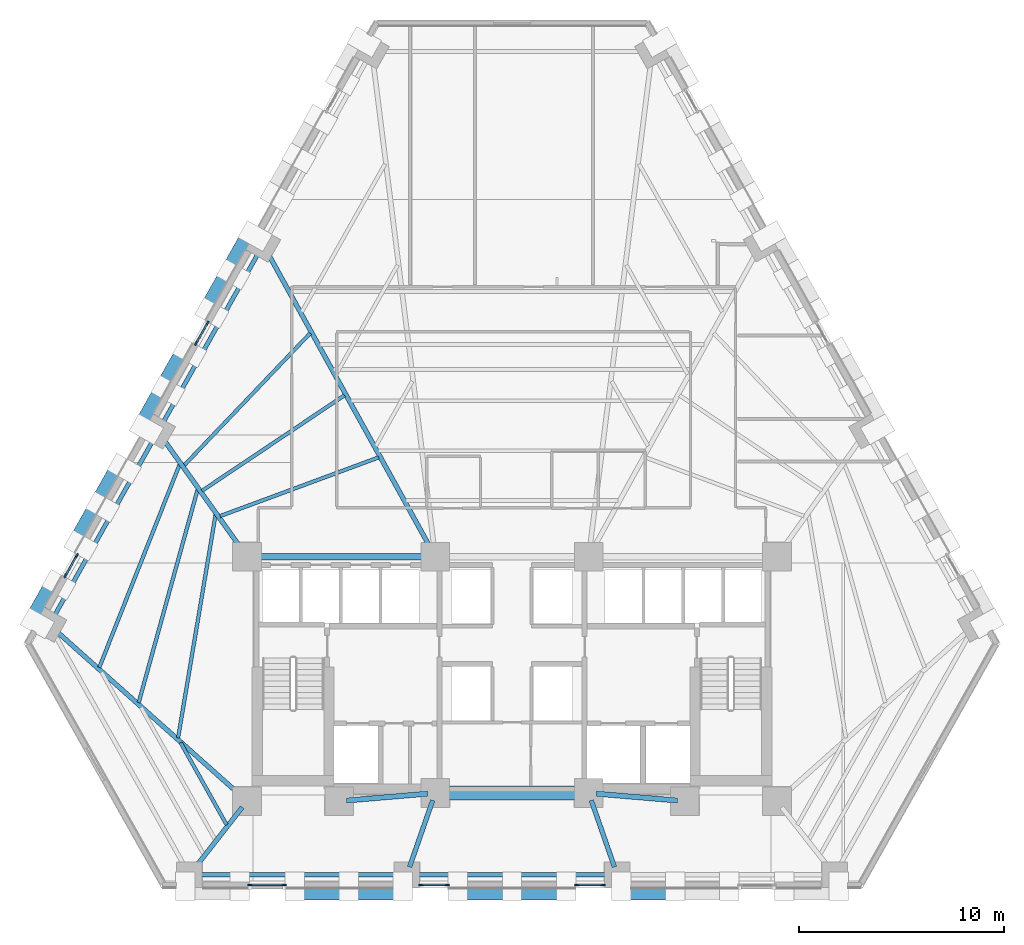
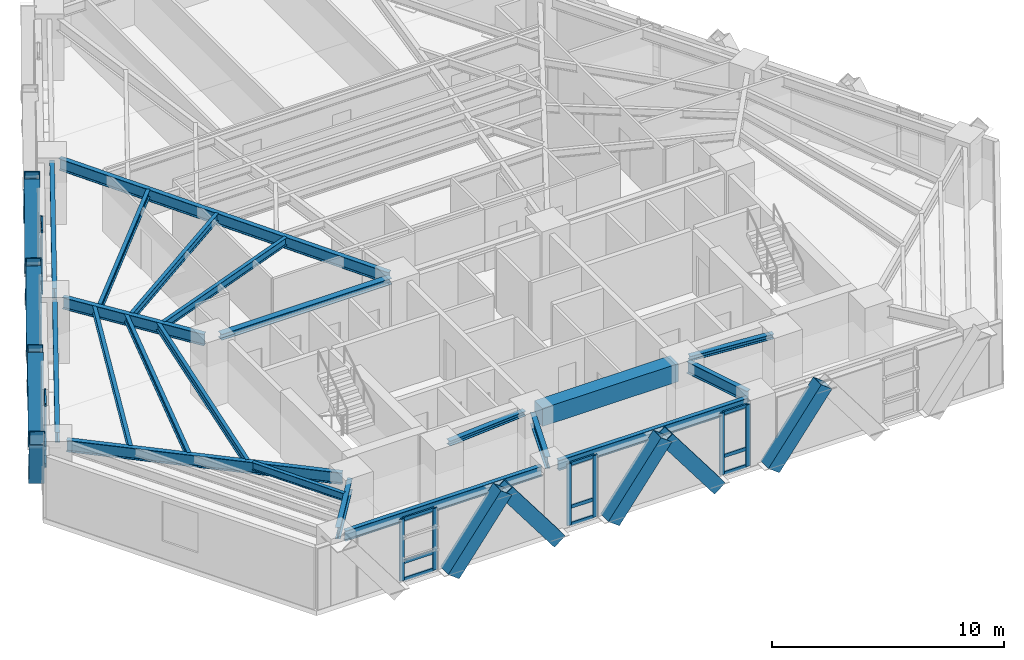
# One storey, part 2 of 13: 37 members, 21 beams, 5 elements without a shape of their own.
"""IFC4 building model written with IfcOpenShell, lengths in metres."""

from ifc_helpers import new_model, si_unit, direction, frame, origin, origin_2d, place, context, subcontext, project, spatial, rectangle, hollow_rectangle, i_section, extrude, material, material_profile, profile_set, type_object, element, aggregate, save


model = new_model("IFC4")

# Units and contexts
model_context = context("Model", 3, precision=1e-05, world=origin(), true_north=direction((0.0, 1.0)))
body_context = subcontext(model_context, "Body", "Model", "MODEL_VIEW")
ifc_project = project(units=[si_unit("LENGTHUNIT", "METRE"), si_unit("AREAUNIT", "SQUARE_METRE"), si_unit("VOLUMEUNIT", "CUBIC_METRE"), si_unit("PLANEANGLEUNIT", "RADIAN"), si_unit("MASSUNIT", "GRAM", prefix="KILO")], contexts=[model_context])

# Site, building, storey
site_placement = place(None, origin())
site = spatial("IfcSite", under=ifc_project, at=site_placement, CompositionType="ELEMENT")
building_placement = place(site_placement, origin())
building = spatial("IfcBuilding", under=site, at=building_placement, Name="Quenlor Broadcast Tower", CompositionType="ELEMENT")
storey_placement = place(building_placement, frame((0.0, 0.0, 34.60009765625)))
storey = spatial("IfcBuildingStorey", under=building, at=storey_placement, Name="L08", CompositionType="ELEMENT", Elevation=34.60009765625)

# Curtain wall, members
ifc_material_1 = material(Name="Architectural Terracotta and Low-E Glazing", Category="masonry")
curtain_wall_type = type_object("IfcCurtainWallType", Name="Unitised Terracotta Curtain Wall System Z1", PredefinedType="NOTDEFINED", material=ifc_material_1)
curtain_wall_1_placement = place(storey_placement, origin())
curtain_wall_1 = element("IfcCurtainWall", 1, at=curtain_wall_1_placement, inside=storey, type_object=curtain_wall_type, Name="L08 Curtain Wall CW1 (L08-SC-G1)", PredefinedType="NOTDEFINED")
ifc_material_2 = material(Name="Aluminium 6063-T6", Category="aluminium")
ifc_material_profile_1 = material_profile(ifc_material_2, rectangle(XDim=0.080078125, YDim=0.219970703125, at=origin_2d()))
ifc_profile_set_1 = profile_set([ifc_material_profile_1], Name="Aluminium 6063-T6 MULL80x220")
member_type_1 = type_object("IfcMemberType", Name="CW1 Aluminium Mullion MULL_CW1", PredefinedType="MULLION", material=ifc_profile_set_1)
member_1_placement = place(storey_placement, frame((-11.146484375, -20.840087890625, 0.0), z_axis=(0.0, 0.0, 1.0), x_axis=(0.0, -1.0, 0.0)))
member_1 = element("IfcMember", 2, at=member_1_placement, type_object=member_type_1, Name="CW1 mullion 1", PredefinedType="MULLION", context=body_context, shape_type="SweptSolid", body=[
    extrude(rectangle(XDim=0.080078125, YDim=0.219970703125, at=origin_2d()), origin(), (0.0, 0.0, 1.0), 3.25),
])
member_2_placement = place(storey_placement, frame((-12.794921875, -20.840087890625, 0.0), z_axis=(0.0, 0.0, 1.0), x_axis=(0.0, -1.0, 0.0)))
member_2 = element("IfcMember", 3, at=member_2_placement, type_object=member_type_1, Name="CW1 mullion 2", PredefinedType="MULLION", context=body_context, shape_type="SweptSolid", body=[
    extrude(rectangle(XDim=0.080078125, YDim=0.219970703125, at=origin_2d()), origin(), (0.0, 0.0, 1.0), 3.25),
])

curtain_wall_2_placement = place(storey_placement, origin())
curtain_wall_2 = element("IfcCurtainWall", 4, at=curtain_wall_2_placement, inside=storey, type_object=curtain_wall_type, Name="L08 Curtain Wall CW1 (L08-S-G1)", PredefinedType="NOTDEFINED")
member_3_placement = place(storey_placement, frame((4.455810546875, -20.840087890625, 0.0), z_axis=(0.0, 0.0, 1.0), x_axis=(0.0, -1.0, 0.0)))
member_3 = element("IfcMember", 5, at=member_3_placement, type_object=member_type_1, Name="CW1 mullion 1", PredefinedType="MULLION", context=body_context, shape_type="SweptSolid", body=[
    extrude(rectangle(XDim=0.080078125, YDim=0.219970703125, at=origin_2d()), origin(), (0.0, 0.0, 1.0), 3.25),
])
member_4_placement = place(storey_placement, frame((3.166015625, -20.840087890625, 0.0), z_axis=(0.0, 0.0, 1.0), x_axis=(0.0, -1.0, 0.0)))
member_4 = element("IfcMember", 6, at=member_4_placement, type_object=member_type_1, Name="CW1 mullion 2", PredefinedType="MULLION", context=body_context, shape_type="SweptSolid", body=[
    extrude(rectangle(XDim=0.080078125, YDim=0.219970703125, at=origin_2d()), origin(), (0.0, 0.0, 1.0), 3.25),
])

curtain_wall_3_placement = place(storey_placement, origin())
curtain_wall_3 = element("IfcCurtainWall", 7, at=curtain_wall_3_placement, inside=storey, type_object=curtain_wall_type, Name="L08 Curtain Wall CW1 (L08-S-G2)", PredefinedType="NOTDEFINED")
member_5_placement = place(storey_placement, frame((-3.166015625, -20.840087890625, 0.0), z_axis=(0.0, 0.0, 1.0), x_axis=(0.0, -1.0, 0.0)))
member_5 = element("IfcMember", 8, at=member_5_placement, type_object=member_type_1, Name="CW1 mullion 1", PredefinedType="MULLION", context=body_context, shape_type="SweptSolid", body=[
    extrude(rectangle(XDim=0.080078125, YDim=0.219970703125, at=origin_2d()), origin(), (0.0, 0.0, 1.0), 3.25),
])
member_6_placement = place(storey_placement, frame((-4.455810546875, -20.840087890625, 0.0), z_axis=(0.0, 0.0, 1.0), x_axis=(0.0, -1.0, 0.0)))
member_6 = element("IfcMember", 9, at=member_6_placement, type_object=member_type_1, Name="CW1 mullion 2", PredefinedType="MULLION", context=body_context, shape_type="SweptSolid", body=[
    extrude(rectangle(XDim=0.080078125, YDim=0.219970703125, at=origin_2d()), origin(), (0.0, 0.0, 1.0), 3.25),
])

curtain_wall_4_placement = place(storey_placement, origin())
curtain_wall_4 = element("IfcCurtainWall", 10, at=curtain_wall_4_placement, inside=storey, type_object=curtain_wall_type, Name="L08 Curtain Wall CW1 (L08-NWA-G1)", PredefinedType="NOTDEFINED")
member_7_placement = place(storey_placement, frame((-21.830322265625, -5.736083984375, 0.0), z_axis=(0.0, 0.0, 1.0), x_axis=(-0.871602077703, 0.490214053392, 0.0)))
member_7 = element("IfcMember", 11, at=member_7_placement, type_object=member_type_1, Name="CW1 mullion 1", PredefinedType="MULLION", context=body_context, shape_type="SweptSolid", body=[
    extrude(rectangle(XDim=0.080078125, YDim=0.219970703125, at=origin_2d()), origin(), (0.0, 0.0, 1.0), 3.25),
])
member_8_placement = place(storey_placement, frame((-21.277587890625, -4.75341796875, 0.0), z_axis=(0.0, 0.0, 1.0), x_axis=(-0.871602077703, 0.490214053392, 0.0)))
member_8 = element("IfcMember", 12, at=member_8_placement, type_object=member_type_1, Name="CW1 mullion 2", PredefinedType="MULLION", context=body_context, shape_type="SweptSolid", body=[
    extrude(rectangle(XDim=0.080078125, YDim=0.219970703125, at=origin_2d()), origin(), (0.0, 0.0, 1.0), 3.25),
])

curtain_wall_5_placement = place(storey_placement, origin())
curtain_wall_5 = element("IfcCurtainWall", 13, at=curtain_wall_5_placement, inside=storey, type_object=curtain_wall_type, Name="L08 Curtain Wall CW1 (L08-NW-G1)", PredefinedType="NOTDEFINED")
member_9_placement = place(storey_placement, frame((-15.436767578125, 5.63037109375, 0.0), z_axis=(0.0, 0.0, 1.0), x_axis=(-0.871566690057, 0.49027696742, 0.0)))
member_9 = element("IfcMember", 14, at=member_9_placement, type_object=member_type_1, Name="CW1 mullion 1", PredefinedType="MULLION", context=body_context, shape_type="SweptSolid", body=[
    extrude(rectangle(XDim=0.080078125, YDim=0.219970703125, at=origin_2d()), origin(), (0.0, 0.0, 1.0), 3.25),
])
member_10_placement = place(storey_placement, frame((-14.884033203125, 6.613037109375, 0.0), z_axis=(0.0, 0.0, 1.0), x_axis=(-0.871566690057, 0.49027696742, 0.0)))
member_10 = element("IfcMember", 15, at=member_10_placement, type_object=member_type_1, Name="CW1 mullion 2", PredefinedType="MULLION", context=body_context, shape_type="SweptSolid", body=[
    extrude(rectangle(XDim=0.080078125, YDim=0.219970703125, at=origin_2d()), origin(), (0.0, 0.0, 1.0), 3.25),
])

# Member
ifc_material_3 = material(Name="Aluminium 6063-T6", Category="aluminium")
ifc_material_profile_2 = material_profile(ifc_material_3, rectangle(XDim=0.080078125, YDim=0.179931640625, at=origin_2d()))
ifc_profile_set_2 = profile_set([ifc_material_profile_2], Name="Aluminium 6063-T6 TRAN80x180")
member_type_2 = type_object("IfcMemberType", Name="CW1 Aluminium Transom TRAN_CW1", PredefinedType="USERDEFINED", material=ifc_profile_set_2)
member_11_placement = place(storey_placement, frame((-11.1865234375, -20.840087890625, 0.039794921875), z_axis=(-1.0, 0.0, 0.0), x_axis=(0.0, -1.0, 0.0)))
member_11 = element("IfcMember", 16, at=member_11_placement, type_object=member_type_2, Name="CW1 transom 1.1", ObjectType="TRANSOM", PredefinedType="USERDEFINED", context=body_context, shape_type="SweptSolid", body=[
    extrude(rectangle(XDim=0.080078125, YDim=0.179931640625, at=origin_2d()), origin(), (0.0, 0.0, 1.0), 1.568359375),
])

member_12_placement = place(storey_placement, frame((-11.1865234375, -20.840087890625, 0.949951171875), z_axis=(-1.0, 0.0, 0.0), x_axis=(0.0, -1.0, 0.0)))
member_12 = element("IfcMember", 17, at=member_12_placement, type_object=member_type_2, Name="CW1 transom 1.2", ObjectType="TRANSOM", PredefinedType="USERDEFINED", context=body_context, shape_type="SweptSolid", body=[
    extrude(rectangle(XDim=0.080078125, YDim=0.179931640625, at=origin_2d()), origin(), (0.0, 0.0, 1.0), 1.568359375),
])

member_13_placement = place(storey_placement, frame((-11.1865234375, -20.840087890625, 3.2099609375), z_axis=(-1.0, 0.0, 0.0), x_axis=(0.0, -1.0, 0.0)))
member_13 = element("IfcMember", 18, at=member_13_placement, type_object=member_type_2, Name="CW1 transom 1.3", ObjectType="TRANSOM", PredefinedType="USERDEFINED", context=body_context, shape_type="SweptSolid", body=[
    extrude(rectangle(XDim=0.080078125, YDim=0.179931640625, at=origin_2d()), origin(), (0.0, 0.0, 1.0), 1.568359375),
])

aggregate(curtain_wall_1, [member_1, member_2, member_11, member_12, member_13])

member_14_placement = place(storey_placement, frame((4.415771484375, -20.840087890625, 0.039794921875), z_axis=(-1.0, 0.0, 0.0), x_axis=(0.0, -1.0, 0.0)))
member_14 = element("IfcMember", 19, at=member_14_placement, type_object=member_type_2, Name="CW1 transom 1.1", ObjectType="TRANSOM", PredefinedType="USERDEFINED", context=body_context, shape_type="SweptSolid", body=[
    extrude(rectangle(XDim=0.080078125, YDim=0.179931640625, at=origin_2d()), origin(), (0.0, 0.0, 1.0), 1.209716796875),
])

member_15_placement = place(storey_placement, frame((4.415771484375, -20.840087890625, 0.949951171875), z_axis=(-1.0, 0.0, 0.0), x_axis=(0.0, -1.0, 0.0)))
member_15 = element("IfcMember", 20, at=member_15_placement, type_object=member_type_2, Name="CW1 transom 1.2", ObjectType="TRANSOM", PredefinedType="USERDEFINED", context=body_context, shape_type="SweptSolid", body=[
    extrude(rectangle(XDim=0.080078125, YDim=0.179931640625, at=origin_2d()), origin(), (0.0, 0.0, 1.0), 1.209716796875),
])

member_16_placement = place(storey_placement, frame((4.415771484375, -20.840087890625, 3.2099609375), z_axis=(-1.0, 0.0, 0.0), x_axis=(0.0, -1.0, 0.0)))
member_16 = element("IfcMember", 21, at=member_16_placement, type_object=member_type_2, Name="CW1 transom 1.3", ObjectType="TRANSOM", PredefinedType="USERDEFINED", context=body_context, shape_type="SweptSolid", body=[
    extrude(rectangle(XDim=0.080078125, YDim=0.179931640625, at=origin_2d()), origin(), (0.0, 0.0, 1.0), 1.209716796875),
])

aggregate(curtain_wall_2, [member_3, member_4, member_14, member_15, member_16])

member_17_placement = place(storey_placement, frame((-3.2060546875, -20.840087890625, 0.039794921875), z_axis=(-1.0, 0.0, 0.0), x_axis=(0.0, -1.0, 0.0)))
member_17 = element("IfcMember", 22, at=member_17_placement, type_object=member_type_2, Name="CW1 transom 1.1", ObjectType="TRANSOM", PredefinedType="USERDEFINED", context=body_context, shape_type="SweptSolid", body=[
    extrude(rectangle(XDim=0.080078125, YDim=0.179931640625, at=origin_2d()), origin(), (0.0, 0.0, 1.0), 1.209716796875),
])

member_18_placement = place(storey_placement, frame((-3.2060546875, -20.840087890625, 0.949951171875), z_axis=(-1.0, 0.0, 0.0), x_axis=(0.0, -1.0, 0.0)))
member_18 = element("IfcMember", 23, at=member_18_placement, type_object=member_type_2, Name="CW1 transom 1.2", ObjectType="TRANSOM", PredefinedType="USERDEFINED", context=body_context, shape_type="SweptSolid", body=[
    extrude(rectangle(XDim=0.080078125, YDim=0.179931640625, at=origin_2d()), origin(), (0.0, 0.0, 1.0), 1.209716796875),
])

member_19_placement = place(storey_placement, frame((-3.2060546875, -20.840087890625, 3.2099609375), z_axis=(-1.0, 0.0, 0.0), x_axis=(0.0, -1.0, 0.0)))
member_19 = element("IfcMember", 24, at=member_19_placement, type_object=member_type_2, Name="CW1 transom 1.3", ObjectType="TRANSOM", PredefinedType="USERDEFINED", context=body_context, shape_type="SweptSolid", body=[
    extrude(rectangle(XDim=0.080078125, YDim=0.179931640625, at=origin_2d()), origin(), (0.0, 0.0, 1.0), 1.209716796875),
])

aggregate(curtain_wall_3, [member_5, member_6, member_17, member_18, member_19])

member_20_placement = place(storey_placement, frame((-21.810791015625, -5.701171875, 0.039794921875), z_axis=(0.490228036821, 0.871594212874, 0.0), x_axis=(-0.871594212874, 0.490228036821, 0.0)))
member_20 = element("IfcMember", 25, at=member_20_placement, type_object=member_type_2, Name="CW1 transom 1.1", ObjectType="TRANSOM", PredefinedType="USERDEFINED", context=body_context, shape_type="SweptSolid", body=[
    extrude(rectangle(XDim=0.080078125, YDim=0.179931640625, at=origin_2d()), origin(), (0.0, 0.0, 1.0), 1.04736328125),
])

member_21_placement = place(storey_placement, frame((-21.810791015625, -5.701171875, 0.949951171875), z_axis=(0.490228036821, 0.871594212874, 0.0), x_axis=(-0.871594212874, 0.490228036821, 0.0)))
member_21 = element("IfcMember", 26, at=member_21_placement, type_object=member_type_2, Name="CW1 transom 1.2", ObjectType="TRANSOM", PredefinedType="USERDEFINED", context=body_context, shape_type="SweptSolid", body=[
    extrude(rectangle(XDim=0.080078125, YDim=0.179931640625, at=origin_2d()), origin(), (0.0, 0.0, 1.0), 1.04736328125),
])

member_22_placement = place(storey_placement, frame((-21.810791015625, -5.701171875, 3.2099609375), z_axis=(0.490228036821, 0.871594212874, 0.0), x_axis=(-0.871594212874, 0.490228036821, 0.0)))
member_22 = element("IfcMember", 27, at=member_22_placement, type_object=member_type_2, Name="CW1 transom 1.3", ObjectType="TRANSOM", PredefinedType="USERDEFINED", context=body_context, shape_type="SweptSolid", body=[
    extrude(rectangle(XDim=0.080078125, YDim=0.179931640625, at=origin_2d()), origin(), (0.0, 0.0, 1.0), 1.04736328125),
])

aggregate(curtain_wall_4, [member_7, member_8, member_20, member_21, member_22])

member_23_placement = place(storey_placement, frame((-15.417236328125, 5.6650390625, 0.039794921875), z_axis=(0.490128451098, 0.87165021736, 0.0), x_axis=(-0.87165021736, 0.490128451098, 0.0)))
member_23 = element("IfcMember", 28, at=member_23_placement, type_object=member_type_2, Name="CW1 transom 1.1", ObjectType="TRANSOM", PredefinedType="USERDEFINED", context=body_context, shape_type="SweptSolid", body=[
    extrude(rectangle(XDim=0.080078125, YDim=0.179931640625, at=origin_2d()), origin(), (0.0, 0.0, 1.0), 1.047607421875),
])

member_24_placement = place(storey_placement, frame((-15.417236328125, 5.6650390625, 0.949951171875), z_axis=(0.490128451098, 0.87165021736, 0.0), x_axis=(-0.87165021736, 0.490128451098, 0.0)))
member_24 = element("IfcMember", 29, at=member_24_placement, type_object=member_type_2, Name="CW1 transom 1.2", ObjectType="TRANSOM", PredefinedType="USERDEFINED", context=body_context, shape_type="SweptSolid", body=[
    extrude(rectangle(XDim=0.080078125, YDim=0.179931640625, at=origin_2d()), origin(), (0.0, 0.0, 1.0), 1.047607421875),
])

member_25_placement = place(storey_placement, frame((-15.417236328125, 5.6650390625, 3.2099609375), z_axis=(0.490128451098, 0.87165021736, 0.0), x_axis=(-0.87165021736, 0.490128451098, 0.0)))
member_25 = element("IfcMember", 30, at=member_25_placement, type_object=member_type_2, Name="CW1 transom 1.3", ObjectType="TRANSOM", PredefinedType="USERDEFINED", context=body_context, shape_type="SweptSolid", body=[
    extrude(rectangle(XDim=0.080078125, YDim=0.179931640625, at=origin_2d()), origin(), (0.0, 0.0, 1.0), 1.047607421875),
])

aggregate(curtain_wall_5, [member_9, member_10, member_23, member_24, member_25])

# Beams
ifc_material_4 = material(Name="Concrete C50/60", Category="concrete")
ifc_material_profile_3 = material_profile(ifc_material_4, rectangle(XDim=0.699951171875, YDim=0.949951171875, at=origin_2d()))
ifc_profile_set_3 = profile_set([ifc_material_profile_3], Name="Concrete C50/60 RCB700x950")
beam_type_1 = type_object("IfcBeamType", Name="Core Coupling Beam Concrete C50/60 700x950", PredefinedType="BEAM", material=ifc_profile_set_3)
beam_1_placement = place(storey_placement, frame((-3.389892578125, -16.35009765625, 2.77490234375), z_axis=(1.0, 0.0, 0.0), x_axis=(0.0, 1.0, 0.0)))
element("IfcBeam", 31, at=beam_1_placement, inside=storey, type_object=beam_type_1, Name="L08 Core Coupling Beam 6", PredefinedType="BEAM", context=body_context, shape_type="SweptSolid", body=[
    extrude(rectangle(XDim=0.699951171875, YDim=0.949951171875, at=origin_2d()), origin(), (0.0, 0.0, 1.0), 6.77978515625),
])
ifc_material_5 = material(Name="Steel S355", Category="steel")
ifc_material_profile_4 = material_profile(ifc_material_5, i_section(OverallWidth=0.25390625, OverallDepth=0.25390625, WebThickness=0.008544921875, FlangeThickness=0.01416015625, FilletRadius=0.013916015625, at=origin_2d()))
ifc_profile_set_4 = profile_set([ifc_material_profile_4], Name="Steel S355 250UC72.9")
beam_type_2 = type_object("IfcBeamType", Name="Core Opening Lintel Beam Steel S355 250UC72.9", PredefinedType="LINTEL", material=ifc_profile_set_4)
for number, where, z_axis, x_axis, name in (
    (32, (-8.09130859375, -16.719482421875, 3.123046875), (0.996399763903, 0.084779186679, 0.0), (-0.084779186679, 0.996399763903, 0.0), "L08 Core Opening Lintel Beam 4"),
    (33, (4.108642578125, -16.380615234375, 3.123046875), (0.996399763903, -0.084779186679, 0.0), (0.084779186679, 0.996399763903, 0.0), "L08 Core Opening Lintel Beam 5"),
):
    element("IfcBeam", number, at=place(storey_placement, frame(where, z_axis=z_axis, x_axis=x_axis)), inside=storey, type_object=beam_type_2, Name=name, PredefinedType="LINTEL", context=body_context, shape_type="SweptSolid", body=[
        extrude(i_section(OverallWidth=0.25390625, OverallDepth=0.25390625, WebThickness=0.008544921875, FlangeThickness=0.01416015625, FilletRadius=0.013916015625, at=origin_2d()), origin(), (0.0, 0.0, 1.0), 3.9970703125),
    ])
ifc_material_6 = material(Name="Steel S355", Category="steel")
ifc_material_profile_5 = material_profile(ifc_material_6, i_section(OverallWidth=0.306884765625, OverallDepth=0.314697265625, WebThickness=0.011962890625, FlangeThickness=0.018798828125, FilletRadius=0.0166015625, at=origin_2d()))
ifc_profile_set_5 = profile_set([ifc_material_profile_5], Name="Steel S355 310UC118")
beam_type_3 = type_object("IfcBeamType", Name="Core Tie Beam Steel S355 310UC118", PredefinedType="BEAM", material=ifc_profile_set_5)
beam_2_placement = place(storey_placement, frame((-12.590087890625, -4.800048828125, 3.092529296875), z_axis=(1.0, 0.0, 0.0), x_axis=(0.0, 1.0, 0.0)))
element("IfcBeam", 34, at=beam_2_placement, inside=storey, type_object=beam_type_3, Name="L08 Core Tie Beam 1", PredefinedType="BEAM", context=body_context, shape_type="SweptSolid", body=[
    extrude(i_section(OverallWidth=0.306884765625, OverallDepth=0.314697265625, WebThickness=0.011962890625, FlangeThickness=0.018798828125, FilletRadius=0.0166015625, at=origin_2d()), origin(), (0.0, 0.0, 1.0), 8.47998046875),
])

# Members
ifc_material_7 = material(Name="Steel S355", Category="steel")
ifc_material_profile_6 = material_profile(ifc_material_7, hollow_rectangle(XDim=0.679931640625, YDim=0.679931640625, WallThickness=0.034912109375, at=origin_2d()))
ifc_profile_set_6 = profile_set([ifc_material_profile_6], Name="Steel S355 RHS680x680x35")
member_type_3 = type_object("IfcMemberType", Name="Perimeter Diagonal Lattice Brace Z1 Steel S355 RHS680x35", PredefinedType="BRACE", material=ifc_profile_set_6)
for number, where, z_axis, x_axis, name in (
    (35, (2.644287109375, -21.235107421875, -0.1201171875), (-0.600463982679, 0.0, 0.799651802665), (0.0, -1.0, 0.0), "L08 Perimeter Diamond Lattice S-C2S"),
    (36, (5.336181640625, -21.235107421875, -0.1201171875), (0.60049964856, 0.0, 0.799625019668), (0.0, 1.0, 0.0), "L08 Perimeter Diamond Lattice S-C2B"),
    (37, (-5.336181640625, -21.235107421875, -0.1201171875), (-0.60049964856, 0.0, 0.799625019668), (0.0, -1.0, 0.0), "L08 Perimeter Diamond Lattice S-C3S"),
    (38, (-2.644287109375, -21.235107421875, -0.1201171875), (0.600463982679, 0.0, 0.799651802665), (0.0, 1.0, 0.0), "L08 Perimeter Diamond Lattice S-C3B"),
    (39, (-10.624755859375, -21.235107421875, -0.1201171875), (0.600463982679, 0.0, 0.799651802665), (0.0, 1.0, 0.0), "L08 Perimeter Diamond Lattice S-C4B"),
):
    element("IfcMember", number, at=place(storey_placement, frame(where, z_axis=z_axis, x_axis=x_axis)), inside=storey, type_object=member_type_3, Name=name, PredefinedType="BRACE", context=body_context, shape_type="SweptSolid", body=[
        extrude(hollow_rectangle(XDim=0.679931640625, YDim=0.679931640625, WallThickness=0.034912109375, at=origin_2d()), origin(), (0.0, 0.0, 1.0), 4.376953125),
    ])
member_26_placement = place(storey_placement, frame((-21.359130859375, -4.092529296875, -0.1201171875), z_axis=(0.256375341489, 0.45579159737, 0.852364771705), x_axis=(-0.871581609758, 0.490250443683, 0.0)))
element("IfcMember", 40, at=member_26_placement, inside=storey, type_object=member_type_3, Name="L08 Perimeter Diamond Lattice NW-C1S", PredefinedType="BRACE", context=body_context, shape_type="SweptSolid", body=[
    extrude(hollow_rectangle(XDim=0.679931640625, YDim=0.679931640625, WallThickness=0.034912109375, at=origin_2d()), origin(), (0.0, 0.0, 1.0), 4.106201171875),
])
member_27_placement = place(storey_placement, frame((-22.4375, -6.009521484375, -0.1201171875), z_axis=(-0.256368393635, -0.455838699906, 0.852341672343), x_axis=(0.871608931644, -0.490201866865, 0.0)))
element("IfcMember", 41, at=member_27_placement, inside=storey, type_object=member_type_3, Name="L08 Perimeter Diamond Lattice NW-C1B", PredefinedType="BRACE", context=body_context, shape_type="SweptSolid", body=[
    extrude(hollow_rectangle(XDim=0.679931640625, YDim=0.679931640625, WallThickness=0.034912109375, at=origin_2d()), origin(), (0.0, 0.0, 1.0), 4.1064453125),
])
for number, where, z_axis, x_axis, name in (
    (42, (-18.162353515625, 1.5908203125, -0.1201171875), (0.256375341489, 0.45579159737, 0.852364771705), (-0.871581609758, 0.490250443683, 0.0), "L08 Perimeter Diamond Lattice NW-C2S"),
    (43, (-19.24072265625, -0.326416015625, -0.1201171875), (-0.256375341489, -0.45579159737, 0.852364771705), (0.871581609758, -0.490250443683, 0.0), "L08 Perimeter Diamond Lattice NW-C2B"),
):
    element("IfcMember", number, at=place(storey_placement, frame(where, z_axis=z_axis, x_axis=x_axis)), inside=storey, type_object=member_type_3, Name=name, PredefinedType="BRACE", context=body_context, shape_type="SweptSolid", body=[
        extrude(hollow_rectangle(XDim=0.679931640625, YDim=0.679931640625, WallThickness=0.034912109375, at=origin_2d()), origin(), (0.0, 0.0, 1.0), 4.106201171875),
    ])
member_28_placement = place(storey_placement, frame((-14.965576171875, 7.273681640625, -0.1201171875), z_axis=(0.256368393635, 0.455838699906, 0.852341672343), x_axis=(-0.871608931644, 0.490201866865, 0.0)))
element("IfcMember", 44, at=member_28_placement, inside=storey, type_object=member_type_3, Name="L08 Perimeter Diamond Lattice NW-C3S", PredefinedType="BRACE", context=body_context, shape_type="SweptSolid", body=[
    extrude(hollow_rectangle(XDim=0.679931640625, YDim=0.679931640625, WallThickness=0.034912109375, at=origin_2d()), origin(), (0.0, 0.0, 1.0), 4.1064453125),
])
for number, where, z_axis, x_axis, name in (
    (45, (-16.0439453125, 5.356689453125, -0.1201171875), (-0.256375341489, -0.45579159737, 0.852364771705), (0.871581609758, -0.490250443683, 0.0), "L08 Perimeter Diamond Lattice NW-C3B"),
    (46, (-12.84716796875, 11.039794921875, -0.1201171875), (-0.256375341489, -0.45579159737, 0.852364771705), (0.871581609758, -0.490250443683, 0.0), "L08 Perimeter Diamond Lattice NW-C4B"),
):
    element("IfcMember", number, at=place(storey_placement, frame(where, z_axis=z_axis, x_axis=x_axis)), inside=storey, type_object=member_type_3, Name=name, PredefinedType="BRACE", context=body_context, shape_type="SweptSolid", body=[
        extrude(hollow_rectangle(XDim=0.679931640625, YDim=0.679931640625, WallThickness=0.034912109375, at=origin_2d()), origin(), (0.0, 0.0, 1.0), 4.106201171875),
    ])

# Beams
ifc_material_8 = material(Name="Steel S355", Category="steel")
ifc_material_profile_7 = material_profile(ifc_material_8, i_section(OverallWidth=0.208984375, OverallDepth=0.532958984375, WebThickness=0.01025390625, FlangeThickness=0.015625, FilletRadius=0.013916015625, at=origin_2d()))
ifc_profile_set_7 = profile_set([ifc_material_profile_7], Name="Steel S355 530UB92.4")
beam_type_4 = type_object("IfcBeamType", Name="Perimeter Spandrel Beam Z1 Steel S355 530UB92.4", PredefinedType="SPANDREL", material=ifc_profile_set_7)
beam_3_placement = place(storey_placement, frame((-15.35498046875, -20.35009765625, 2.9833984375), z_axis=(1.0, 0.0, 0.0), x_axis=(0.0, 1.0, 0.0)))
element("IfcBeam", 47, at=beam_3_placement, inside=storey, type_object=beam_type_4, Name="L08 Spandrel Beam S1-S2", PredefinedType="SPANDREL", context=body_context, shape_type="SweptSolid", body=[
    extrude(i_section(OverallWidth=0.208984375, OverallDepth=0.532958984375, WebThickness=0.01025390625, FlangeThickness=0.015625, FilletRadius=0.013916015625, at=origin_2d()), origin(), (0.0, 0.0, 1.0), 9.80419921875),
])
beam_4_placement = place(storey_placement, frame((-4.730712890625, -20.35009765625, 2.9833984375), z_axis=(1.0, 0.0, 0.0), x_axis=(0.0, 1.0, 0.0)))
element("IfcBeam", 48, at=beam_4_placement, inside=storey, type_object=beam_type_4, Name="L08 Spandrel Beam S2-S3", PredefinedType="SPANDREL", context=body_context, shape_type="SweptSolid", body=[
    extrude(i_section(OverallWidth=0.208984375, OverallDepth=0.532958984375, WebThickness=0.01025390625, FlangeThickness=0.015625, FilletRadius=0.013916015625, at=origin_2d()), origin(), (0.0, 0.0, 1.0), 9.46142578125),
])
beam_5_placement = place(storey_placement, frame((-12.364013671875, 10.093505859375, 2.9833984375), z_axis=(-0.490257642051, -0.871577560755, 0.0), x_axis=(0.871577560755, -0.490257642051, 0.0)))
element("IfcBeam", 49, at=beam_5_placement, inside=storey, type_object=beam_type_4, Name="L08 Spandrel Beam NW2-NW3", PredefinedType="SPANDREL", context=body_context, shape_type="SweptSolid", body=[
    extrude(i_section(OverallWidth=0.208984375, OverallDepth=0.532958984375, WebThickness=0.01025390625, FlangeThickness=0.015625, FilletRadius=0.013916015625, at=origin_2d()), origin(), (0.0, 0.0, 1.0), 9.665771484375),
])
beam_6_placement = place(storey_placement, frame((-17.5048828125, 0.954345703125, 2.9833984375), z_axis=(-0.490257767622, -0.871577490121, 0.0), x_axis=(0.871577490121, -0.490257767622, 0.0)))
element("IfcBeam", 50, at=beam_6_placement, inside=storey, type_object=beam_type_4, Name="L08 Spandrel Beam NW3-NW4", PredefinedType="SPANDREL", context=body_context, shape_type="SweptSolid", body=[
    extrude(i_section(OverallWidth=0.208984375, OverallDepth=0.532958984375, WebThickness=0.01025390625, FlangeThickness=0.015625, FilletRadius=0.013916015625, at=origin_2d()), origin(), (0.0, 0.0, 1.0), 10.015380859375),
])
ifc_material_9 = material(Name="Steel S355", Category="steel")
ifc_material_profile_8 = material_profile(ifc_material_9, i_section(OverallWidth=0.177978515625, OverallDepth=0.406494140625, WebThickness=0.0078125, FlangeThickness=0.0126953125, FilletRadius=0.011474609375, at=origin_2d()))
ifc_profile_set_8 = profile_set([ifc_material_profile_8], Name="Steel S355 410UB59.7")
beam_type_5 = type_object("IfcBeamType", Name="Tower Composite Joist Z1 Steel S355 410UB59.7", PredefinedType="JOIST", material=ifc_profile_set_8)
beam_7_placement = place(storey_placement, frame((-14.268310546875, -2.81640625, 3.046630859375), z_axis=(0.937824633945, 0.347109429383, 0.0), x_axis=(-0.347109429383, 0.937824633945, 0.0)))
element("IfcBeam", 51, at=beam_7_placement, inside=storey, type_object=beam_type_5, Name="L08 Secondary Composite Joist 7", PredefinedType="JOIST", context=body_context, shape_type="SweptSolid", body=[
    extrude(i_section(OverallWidth=0.177978515625, OverallDepth=0.406494140625, WebThickness=0.0078125, FlangeThickness=0.0126953125, FilletRadius=0.011474609375, at=origin_2d()), origin(), (0.0, 0.0, 1.0), 8.26513671875),
])
beam_8_placement = place(storey_placement, frame((-15.147705078125, -1.577392578125, 3.046630859375), z_axis=(0.830625844363, 0.556830949819, 0.0), x_axis=(-0.556830949819, 0.830625844363, 0.0)))
element("IfcBeam", 52, at=beam_8_placement, inside=storey, type_object=beam_type_5, Name="L08 Secondary Composite Joist 8", PredefinedType="JOIST", context=body_context, shape_type="SweptSolid", body=[
    extrude(i_section(OverallWidth=0.177978515625, OverallDepth=0.406494140625, WebThickness=0.0078125, FlangeThickness=0.0126953125, FilletRadius=0.011474609375, at=origin_2d()), origin(), (0.0, 0.0, 1.0), 8.374755859375),
])
beam_9_placement = place(storey_placement, frame((-16.029541015625, -0.341796875, 3.046630859375), z_axis=(0.690241086162, 0.723579465556, 0.0), x_axis=(-0.723579465556, 0.690241086162, 0.0)))
element("IfcBeam", 53, at=beam_9_placement, inside=storey, type_object=beam_type_5, Name="L08 Secondary Composite Joist 9", PredefinedType="JOIST", context=body_context, shape_type="SweptSolid", body=[
    extrude(i_section(OverallWidth=0.177978515625, OverallDepth=0.406494140625, WebThickness=0.0078125, FlangeThickness=0.0126953125, FilletRadius=0.011474609375, at=origin_2d()), origin(), (0.0, 0.0, 1.0), 8.93408203125),
])
beam_10_placement = place(storey_placement, frame((-16.31982421875, -13.65478515625, 3.046630859375), z_axis=(0.16559360599, 0.986194077074, 0.0), x_axis=(-0.986194077074, 0.16559360599, 0.0)))
element("IfcBeam", 54, at=beam_10_placement, inside=storey, type_object=beam_type_5, Name="L08 Secondary Composite Joist 13", PredefinedType="JOIST", context=body_context, shape_type="SweptSolid", body=[
    extrude(i_section(OverallWidth=0.177978515625, OverallDepth=0.406494140625, WebThickness=0.0078125, FlangeThickness=0.0126953125, FilletRadius=0.011474609375, at=origin_2d()), origin(), (0.0, 0.0, 1.0), 11.06787109375),
])
beam_11_placement = place(storey_placement, frame((-18.2451171875, -11.93310546875, 3.046630859375), z_axis=(0.266390054368, 0.963865311615, 0.0), x_axis=(-0.963865311615, 0.266390054368, 0.0)))
element("IfcBeam", 55, at=beam_11_placement, inside=storey, type_object=beam_type_5, Name="L08 Secondary Composite Joist 14", PredefinedType="JOIST", context=body_context, shape_type="SweptSolid", body=[
    extrude(i_section(OverallWidth=0.177978515625, OverallDepth=0.406494140625, WebThickness=0.0078125, FlangeThickness=0.0126953125, FilletRadius=0.011474609375, at=origin_2d()), origin(), (0.0, 0.0, 1.0), 10.80810546875),
])
beam_12_placement = place(storey_placement, frame((-20.170166015625, -10.212158203125, 3.046630859375), z_axis=(0.367884833597, 0.929871361646, 0.0), x_axis=(-0.929871361646, 0.367884833597, 0.0)))
element("IfcBeam", 56, at=beam_12_placement, inside=storey, type_object=beam_type_5, Name="L08 Secondary Composite Joist 15", PredefinedType="JOIST", context=body_context, shape_type="SweptSolid", body=[
    extrude(i_section(OverallWidth=0.177978515625, OverallDepth=0.406494140625, WebThickness=0.0078125, FlangeThickness=0.0126953125, FilletRadius=0.011474609375, at=origin_2d()), origin(), (0.0, 0.0, 1.0), 10.669921875),
])
beam_13_placement = place(storey_placement, frame((-13.9462890625, -17.904296875, 3.046630859375), z_axis=(-0.489062021968, 0.872249011848, 0.0), x_axis=(-0.872249011848, -0.489062021968, 0.0)))
element("IfcBeam", 57, at=beam_13_placement, inside=storey, type_object=beam_type_5, Name="L08 Secondary Composite Joist 19", PredefinedType="JOIST", context=body_context, shape_type="SweptSolid", body=[
    extrude(i_section(OverallWidth=0.177978515625, OverallDepth=0.406494140625, WebThickness=0.0078125, FlangeThickness=0.0126953125, FilletRadius=0.011474609375, at=origin_2d()), origin(), (0.0, 0.0, 1.0), 4.6025390625),
])
ifc_material_10 = material(Name="Steel S355", Category="steel")
ifc_material_profile_9 = material_profile(ifc_material_10, i_section(OverallWidth=0.22900390625, OverallDepth=0.611572265625, WebThickness=0.011962890625, FlangeThickness=0.01953125, FilletRadius=0.013916015625, at=origin_2d()))
ifc_profile_set_9 = profile_set([ifc_material_profile_9], Name="Steel S355 610UB125")
beam_type_6 = type_object("IfcBeamType", Name="Tower Primary Floor Beam Z1 Steel S355 610UB125", PredefinedType="BEAM", material=ifc_profile_set_9)
beam_14_placement = place(storey_placement, frame((-15.512451171875, -20.027099609375, 2.944091796875), z_axis=(0.615968610193, 0.78777069713, 0.0), x_axis=(-0.78777069713, 0.615968610193, 0.0)))
element("IfcBeam", 58, at=beam_14_placement, inside=storey, type_object=beam_type_6, Name="L08 Primary Radial Beam S1", PredefinedType="BEAM", context=body_context, shape_type="SweptSolid", body=[
    extrude(i_section(OverallWidth=0.22900390625, OverallDepth=0.611572265625, WebThickness=0.011962890625, FlangeThickness=0.01953125, FilletRadius=0.013916015625, at=origin_2d()), origin(), (0.0, 0.0, 1.0), 3.780029296875),
])
for number, where, z_axis, x_axis, name in (
    (59, (-5.006103515625, -19.962646484375, 2.944091796875), (0.328427161327, 0.944529300606, 0.0), (-0.944529300606, 0.328427161327, 0.0), "L08 Primary Radial Beam S2"),
    (60, (5.006103515625, -19.962646484375, 2.944091796875), (-0.328427161327, 0.944529300606, 0.0), (-0.944529300606, -0.328427161327, 0.0), "L08 Primary Radial Beam S3"),
):
    element("IfcBeam", number, at=place(storey_placement, frame(where, z_axis=z_axis, x_axis=x_axis)), inside=storey, type_object=beam_type_6, Name=name, PredefinedType="BEAM", context=body_context, shape_type="SweptSolid", body=[
        extrude(i_section(OverallWidth=0.22900390625, OverallDepth=0.611572265625, WebThickness=0.011962890625, FlangeThickness=0.01953125, FilletRadius=0.013916015625, at=origin_2d()), origin(), (0.0, 0.0, 1.0), 3.44482421875),
    ])
beam_15_placement = place(storey_placement, frame((-11.965087890625, 10.091796875, 2.944091796875), z_axis=(0.483026493693, -0.875605736842, 0.0), x_axis=(0.875605736842, 0.483026493693, 0.0)))
element("IfcBeam", 61, at=beam_15_placement, inside=storey, type_object=beam_type_6, Name="L08 Primary Radial Beam NW2", PredefinedType="BEAM", context=body_context, shape_type="SweptSolid", body=[
    extrude(i_section(OverallWidth=0.22900390625, OverallDepth=0.611572265625, WebThickness=0.011962890625, FlangeThickness=0.01953125, FilletRadius=0.013916015625, at=origin_2d()), origin(), (0.0, 0.0, 1.0), 16.62744140625),
])
beam_16_placement = place(storey_placement, frame((-17.06591796875, 0.977783203125, 2.944091796875), z_axis=(0.580212680853, -0.814465005373, 0.0), x_axis=(0.814465005373, 0.580212680853, 0.0)))
element("IfcBeam", 62, at=beam_16_placement, inside=storey, type_object=beam_type_6, Name="L08 Primary Radial Beam NW3", PredefinedType="BEAM", context=body_context, shape_type="SweptSolid", body=[
    extrude(i_section(OverallWidth=0.22900390625, OverallDepth=0.611572265625, WebThickness=0.011962890625, FlangeThickness=0.01953125, FilletRadius=0.013916015625, at=origin_2d()), origin(), (0.0, 0.0, 1.0), 6.7138671875),
])
beam_17_placement = place(storey_placement, frame((-22.31005859375, -8.40478515625, 2.944091796875), z_axis=(0.746413754585, -0.665482161268, 0.0), x_axis=(0.665482161268, 0.746413754585, 0.0)))
element("IfcBeam", 63, at=beam_17_placement, inside=storey, type_object=beam_type_6, Name="L08 Primary Radial Beam NW4", PredefinedType="BEAM", context=body_context, shape_type="SweptSolid", body=[
    extrude(i_section(OverallWidth=0.22900390625, OverallDepth=0.611572265625, WebThickness=0.011962890625, FlangeThickness=0.01953125, FilletRadius=0.013916015625, at=origin_2d()), origin(), (0.0, 0.0, 1.0), 12.159912109375),
])

save(model, "model.ifc")
